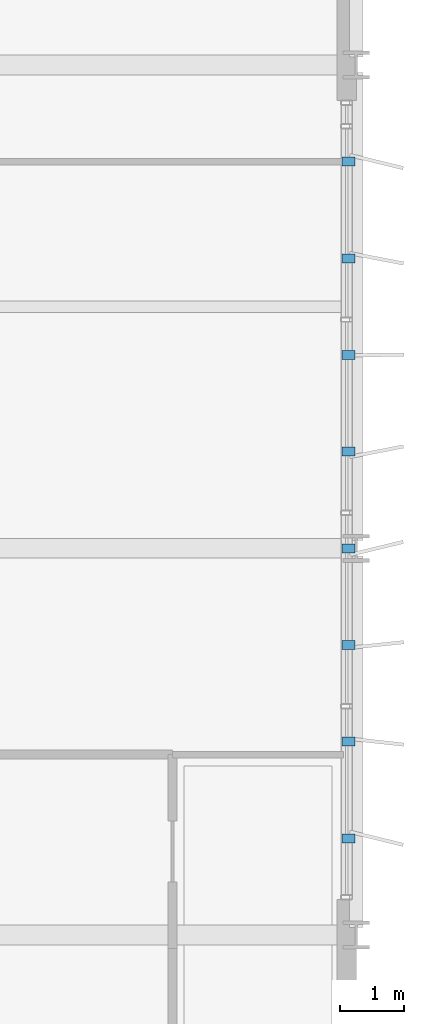
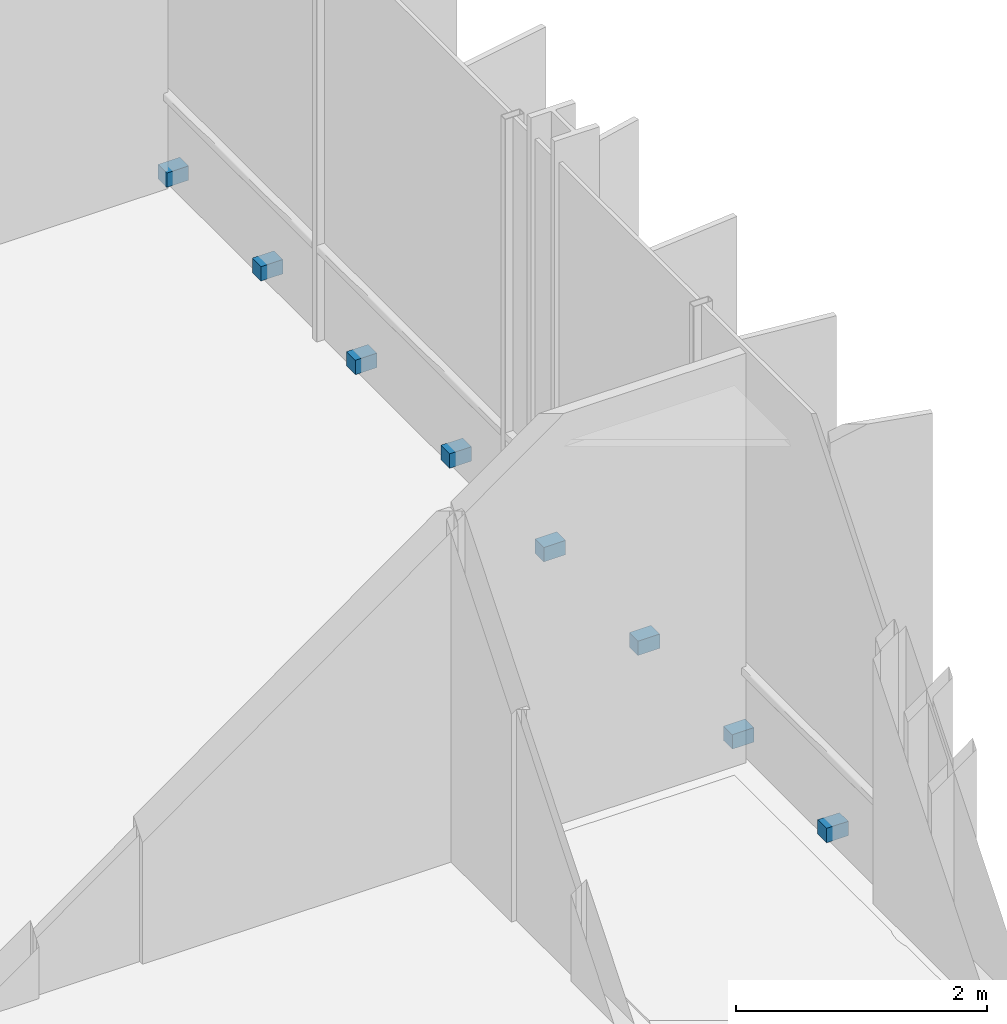
# One storey, part 28 of 32: 8 discrete accessories.
"""IFC4 building model written with IfcOpenShell, lengths in metres."""

from ifc_helpers import new_model, si_unit, direction, frame, origin, origin_2d, place, context, subcontext, project, spatial, rectangle, extrude, material, type_object, element, save


model = new_model("IFC4")

# Units and contexts
model_context = context("Model", 3, precision=1e-05, world=origin(), true_north=direction((0.0, 1.0)))
body_context = subcontext(model_context, "Body", "Model", "MODEL_VIEW")
ifc_project = project(units=[si_unit("LENGTHUNIT", "METRE"), si_unit("AREAUNIT", "SQUARE_METRE"), si_unit("VOLUMEUNIT", "CUBIC_METRE"), si_unit("PLANEANGLEUNIT", "RADIAN"), si_unit("MASSUNIT", "GRAM", prefix="KILO")], contexts=[model_context])

# Site, building, storey
site_placement = place(None, origin())
site = spatial("IfcSite", under=ifc_project, at=site_placement, CompositionType="ELEMENT")
building_placement = place(site_placement, origin())
building = spatial("IfcBuilding", under=site, at=building_placement, Name="Brevholm Reach", CompositionType="ELEMENT")
storey_placement = place(building_placement, frame((0.0, 0.0, 134.5)))
storey = spatial("IfcBuildingStorey", under=building, at=storey_placement, Name="L40", CompositionType="ELEMENT", Elevation=134.5)

# Discrete accessories
ifc_material = material(Name="Duplex Stainless Steel EN 1.4462", Category="steel")
discrete_accessory_type = type_object("IfcDiscreteAccessoryType", Name="ACC-BRK-01", PredefinedType="BRACKET", material=ifc_material)
for number, where, z_axis, x_axis, name in (
    (1, (59.8798828125, 11.5, 0.0302734375), (0.0, 0.0, 1.0), (1.0, 0.0, 0.0), "L40 Solar Screen Support Bracket 1"),
    (2, (59.8798828125, 13.0, 0.0302734375), (0.0, 0.0, 1.0), (1.0, 0.0, 0.0), "L40 Solar Screen Support Bracket 2"),
    (3, (59.8798828125, 14.5, 0.0302734375), (0.0, 0.0, 1.0), (1.0, 0.0, 0.0), "L40 Solar Screen Support Bracket 3"),
    (4, (59.8798828125, 16.0, 0.0302734375), (0.0, 0.0, 1.0), (1.0, 0.0, 0.0), "L40 Solar Screen Support Bracket 4"),
    (5, (59.8798828125, 17.5, 0.0302734375), (0.0, 0.0, 1.0), (1.0, 0.0, 0.0), "L40 Solar Screen Support Bracket 5"),
    (6, (59.8798828125, 19.0, 0.0302734375), (0.0, 0.0, 1.0), (1.0, 0.0, 0.0), "L40 Solar Screen Support Bracket 6"),
    (7, (59.8798828125, 20.5, 0.0302734375), (0.0, 0.0, 1.0), (1.0, 0.0, 0.0), "L40 Solar Screen Support Bracket 7"),
    (8, (59.8798828125, 22.0, 0.0302734375), (0.0, 0.0, 1.0), (1.0, 0.0, 0.0), "L40 Solar Screen Support Bracket 8"),
):
    element("IfcDiscreteAccessory", number, at=place(storey_placement, frame(where, z_axis=z_axis, x_axis=x_axis)), inside=storey, type_object=discrete_accessory_type, Name=name, PredefinedType="BRACKET", context=body_context, shape_type="SweptSolid", body=[
        extrude(rectangle(XDim=0.199951171875, YDim=0.139892578125, at=origin_2d()), origin(), (0.0, 0.0, 1.0), 0.139892578125),
    ])

save(model, "model.ifc")
